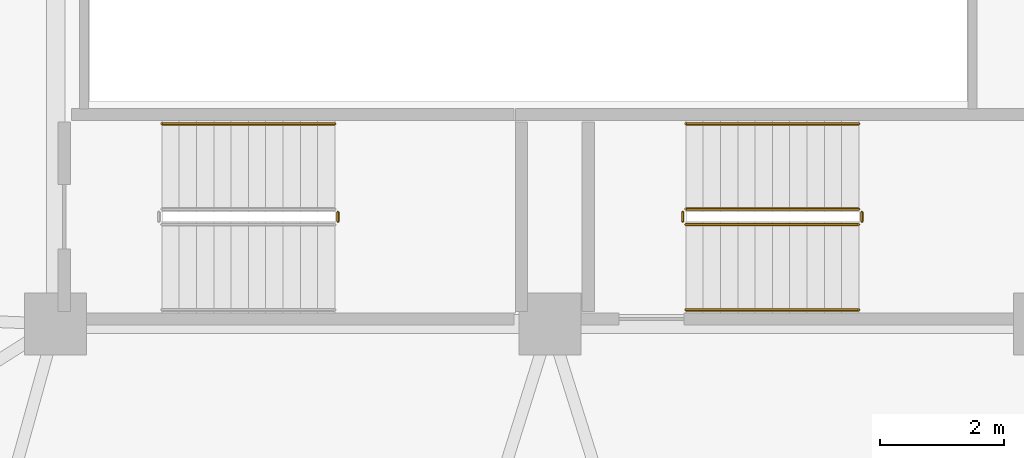
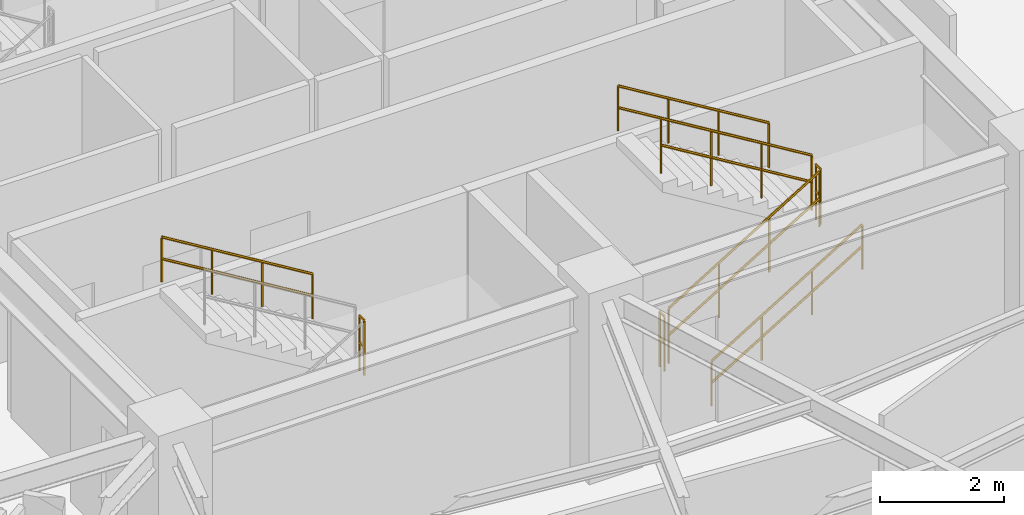
# One storey, part 29 of 31: 8 railings.
"""IFC4 building model written with IfcOpenShell, lengths in metres."""

from ifc_helpers import new_model, si_unit, direction, frame, origin, place, context, subcontext, project, spatial, polyline, outline, extrude, material, type_object, element, save


model = new_model("IFC4")

# Units and contexts
model_context = context("Model", 3, precision=1e-05, world=origin(), true_north=direction((0.0, 1.0)))
body_context = subcontext(model_context, "Body", "Model", "MODEL_VIEW")
ifc_project = project(units=[si_unit("LENGTHUNIT", "METRE"), si_unit("AREAUNIT", "SQUARE_METRE"), si_unit("VOLUMEUNIT", "CUBIC_METRE"), si_unit("PLANEANGLEUNIT", "RADIAN"), si_unit("MASSUNIT", "GRAM", prefix="KILO")], contexts=[model_context])

# Site, building, storey
site_placement = place(None, origin())
site = spatial("IfcSite", under=ifc_project, at=site_placement, CompositionType="ELEMENT")
building_placement = place(site_placement, origin())
building = spatial("IfcBuilding", under=site, at=building_placement, Name="Kelanora Arch Commons", CompositionType="ELEMENT")
storey_placement = place(building_placement, frame((0.0, 0.0, 230.699951171875)))
storey = spatial("IfcBuildingStorey", under=building, at=storey_placement, Name="L59", CompositionType="ELEMENT", Elevation=230.699951171875)

# Railings
ifc_material_1 = material(Name="Painted steel stair well guard", Category="steel")
railing_type_1 = type_object("IfcRailingType", Name="RAIL-STAIR-GRD", PredefinedType="GUARDRAIL", material=ifc_material_1)
railing_1_placement = place(storey_placement, frame((76.199951171875, 52.610107421875, 0.17041015625)))
element("IfcRailing", 1, at=railing_1_placement, inside=storey, type_object=railing_type_1, Name="L59 ST-T2 stair guard 1", PredefinedType="GUARDRAIL", context=body_context, shape_type="SweptSolid", body=[
    extrude(outline(polyline([(0.02392578125, 0.0), (0.011962890625, 0.020751953125), (-0.011962890625, 0.020751953125), (-0.02392578125, 0.0), (-0.011962890625, -0.020751953125), (0.011962890625, -0.020751953125), (0.02392578125, 0.0)])), frame((0.0, 0.0, 1.076171875), z_axis=(0.854169791009, 0.0, 0.51999420009), x_axis=(0.0, 1.0, 0.0)), (0.0, 0.0, 1.0), 3.278076171875),
    extrude(outline(polyline([(0.02392578125, 0.0), (0.011962890625, 0.020751953125), (-0.011962890625, 0.020751953125), (-0.02392578125, 0.0), (-0.011962890625, -0.020751953125), (0.011962890625, -0.020751953125), (0.02392578125, 0.0)])), frame((0.0, 0.0, 0.550048828125), z_axis=(0.854169791009, 0.0, 0.51999420009), x_axis=(0.0, 1.0, 0.0)), (0.0, 0.0, 1.0), 3.278076171875),
    extrude(outline(polyline([(0.02099609375, 0.0), (0.010498046875, 0.01806640625), (-0.010498046875, 0.01806640625), (-0.02099609375, 0.0), (-0.010498046875, -0.01806640625), (0.010498046875, -0.01806640625), (0.02099609375, 0.0)])), origin(), (0.0, 0.0, 1.0), 1.052001953125),
    extrude(outline(polyline([(0.02099609375, 0.0), (0.010498046875, 0.01806640625), (-0.010498046875, 0.01806640625), (-0.02099609375, 0.0), (-0.010498046875, -0.01806640625), (0.010498046875, -0.01806640625), (0.02099609375, 0.0)])), frame((0.933349609375, 0.0, 0.568115234375)), (0.0, 0.0, 1.0), 1.052001953125),
    extrude(outline(polyline([(0.02099609375, 0.0), (0.010498046875, 0.01806640625), (-0.010498046875, 0.01806640625), (-0.02099609375, 0.0), (-0.010498046875, -0.01806640625), (0.010498046875, -0.01806640625), (0.02099609375, 0.0)])), frame((1.86669921875, 0.0, 1.136474609375)), (0.0, 0.0, 1.0), 1.052001953125),
    extrude(outline(polyline([(0.02099609375, 0.0), (0.010498046875, 0.01806640625), (-0.010498046875, 0.01806640625), (-0.02099609375, 0.0), (-0.010498046875, -0.01806640625), (0.010498046875, -0.01806640625), (0.02099609375, 0.0)])), frame((2.800048828125, 0.0, 1.70458984375)), (0.0, 0.0, 1.0), 1.052001953125),
])
railing_2_placement = place(storey_placement, frame((79.050048828125, 52.659912109375, 1.875)))
element("IfcRailing", 2, at=railing_2_placement, inside=storey, type_object=railing_type_1, Name="L59 ST-T2 stair guard 2", PredefinedType="GUARDRAIL", context=body_context, shape_type="SweptSolid", body=[
    extrude(outline(polyline([(0.02392578125, 0.0), (0.011962890625, 0.020751953125), (-0.011962890625, 0.020751953125), (-0.02392578125, 0.0), (-0.011962890625, -0.020751953125), (0.011962890625, -0.020751953125), (0.02392578125, 0.0)])), frame((0.0, 0.0, 1.076171875), z_axis=(0.0, 1.0, 0.0), x_axis=(-1.0, 0.0, 0.0)), (0.0, 0.0, 1.0), 0.150146484375),
    extrude(outline(polyline([(0.02392578125, 0.0), (0.011962890625, 0.020751953125), (-0.011962890625, 0.020751953125), (-0.02392578125, 0.0), (-0.011962890625, -0.020751953125), (0.011962890625, -0.020751953125), (0.02392578125, 0.0)])), frame((0.0, 0.0, 0.550048828125), z_axis=(0.0, 1.0, 0.0), x_axis=(-1.0, 0.0, 0.0)), (0.0, 0.0, 1.0), 0.150146484375),
    extrude(outline(polyline([(0.02099609375, 0.0), (0.010498046875, 0.01806640625), (-0.010498046875, 0.01806640625), (-0.02099609375, 0.0), (-0.010498046875, -0.01806640625), (0.010498046875, -0.01806640625), (0.02099609375, 0.0)])), origin(), (0.0, 0.0, 1.0), 1.052001953125),
    extrude(outline(polyline([(0.02099609375, 0.0), (0.010498046875, 0.01806640625), (-0.010498046875, 0.01806640625), (-0.02099609375, 0.0), (-0.010498046875, -0.01806640625), (0.010498046875, -0.01806640625), (0.02099609375, 0.0)])), frame((0.0, 0.150146484375, 0.0)), (0.0, 0.0, 1.0), 1.052001953125),
])
railing_3_placement = place(storey_placement, frame((79.0, 52.860107421875, 2.04541015625)))
element("IfcRailing", 3, at=railing_3_placement, inside=storey, type_object=railing_type_1, Name="L59 ST-T2 stair guard 3", PredefinedType="GUARDRAIL", context=body_context, shape_type="SweptSolid", body=[
    extrude(outline(polyline([(0.02392578125, 0.0), (0.011962890625, 0.020751953125), (-0.011962890625, 0.020751953125), (-0.02392578125, 0.0), (-0.011962890625, -0.020751953125), (0.011962890625, -0.020751953125), (0.02392578125, 0.0)])), frame((0.0, 0.0, 1.076171875), z_axis=(-0.854169791009, 0.0, 0.51999420009), x_axis=(0.0, -1.0, 0.0)), (0.0, 0.0, 1.0), 3.278076171875),
    extrude(outline(polyline([(0.02392578125, 0.0), (0.011962890625, 0.020751953125), (-0.011962890625, 0.020751953125), (-0.02392578125, 0.0), (-0.011962890625, -0.020751953125), (0.011962890625, -0.020751953125), (0.02392578125, 0.0)])), frame((0.0, 0.0, 0.550048828125), z_axis=(-0.854169791009, 0.0, 0.51999420009), x_axis=(0.0, -1.0, 0.0)), (0.0, 0.0, 1.0), 3.278076171875),
    extrude(outline(polyline([(0.02099609375, 0.0), (0.010498046875, 0.01806640625), (-0.010498046875, 0.01806640625), (-0.02099609375, 0.0), (-0.010498046875, -0.01806640625), (0.010498046875, -0.01806640625), (0.02099609375, 0.0)])), origin(), (0.0, 0.0, 1.0), 1.052001953125),
    extrude(outline(polyline([(0.02099609375, 0.0), (0.010498046875, 0.01806640625), (-0.010498046875, 0.01806640625), (-0.02099609375, 0.0), (-0.010498046875, -0.01806640625), (0.010498046875, -0.01806640625), (0.02099609375, 0.0)])), frame((-0.933349609375, 0.0, 0.568115234375)), (0.0, 0.0, 1.0), 1.052001953125),
    extrude(outline(polyline([(0.02099609375, 0.0), (0.010498046875, 0.01806640625), (-0.010498046875, 0.01806640625), (-0.02099609375, 0.0), (-0.010498046875, -0.01806640625), (0.010498046875, -0.01806640625), (0.02099609375, 0.0)])), frame((-1.86669921875, 0.0, 1.136474609375)), (0.0, 0.0, 1.0), 1.052001953125),
    extrude(outline(polyline([(0.02099609375, 0.0), (0.010498046875, 0.01806640625), (-0.010498046875, 0.01806640625), (-0.02099609375, 0.0), (-0.010498046875, -0.01806640625), (0.010498046875, -0.01806640625), (0.02099609375, 0.0)])), frame((-2.800048828125, 0.0, 1.70458984375)), (0.0, 0.0, 1.0), 1.052001953125),
])
for number, where, name in (
    (4, (76.14990234375, 52.659912109375, 0.0), "L59 ST-T2 stair guard 4"),
    (5, (70.570068359375, 52.659912109375, 1.875), "L59 ST-T3 stair guard 2"),
):
    element("IfcRailing", number, at=place(storey_placement, frame(where)), inside=storey, type_object=railing_type_1, Name=name, PredefinedType="GUARDRAIL", context=body_context, shape_type="SweptSolid", body=[
        extrude(outline(polyline([(0.02392578125, 0.0), (0.011962890625, 0.020751953125), (-0.011962890625, 0.020751953125), (-0.02392578125, 0.0), (-0.011962890625, -0.020751953125), (0.011962890625, -0.020751953125), (0.02392578125, 0.0)])), frame((0.0, 0.0, 1.076171875), z_axis=(0.0, 1.0, 0.0), x_axis=(-1.0, 0.0, 0.0)), (0.0, 0.0, 1.0), 0.150146484375),
        extrude(outline(polyline([(0.02392578125, 0.0), (0.011962890625, 0.020751953125), (-0.011962890625, 0.020751953125), (-0.02392578125, 0.0), (-0.011962890625, -0.020751953125), (0.011962890625, -0.020751953125), (0.02392578125, 0.0)])), frame((0.0, 0.0, 0.550048828125), z_axis=(0.0, 1.0, 0.0), x_axis=(-1.0, 0.0, 0.0)), (0.0, 0.0, 1.0), 0.150146484375),
        extrude(outline(polyline([(0.02099609375, 0.0), (0.010498046875, 0.01806640625), (-0.010498046875, 0.01806640625), (-0.02099609375, 0.0), (-0.010498046875, -0.01806640625), (0.010498046875, -0.01806640625), (0.02099609375, 0.0)])), origin(), (0.0, 0.0, 1.0), 1.052001953125),
        extrude(outline(polyline([(0.02099609375, 0.0), (0.010498046875, 0.01806640625), (-0.010498046875, 0.01806640625), (-0.02099609375, 0.0), (-0.010498046875, -0.01806640625), (0.010498046875, -0.01806640625), (0.02099609375, 0.0)])), frame((0.0, 0.150146484375, 0.0)), (0.0, 0.0, 1.0), 1.052001953125),
    ])
ifc_material_2 = material(Name="Brushed stainless steel stair handrail", Category="steel")
railing_type_2 = type_object("IfcRailingType", Name="RAIL-STAIR-HND", PredefinedType="HANDRAIL", material=ifc_material_2)
railing_4_placement = place(storey_placement, frame((76.199951171875, 51.22998046875, 0.17041015625)))
element("IfcRailing", 6, at=railing_4_placement, inside=storey, type_object=railing_type_2, Name="L59 ST-T2 stair handrail 1", PredefinedType="HANDRAIL", context=body_context, shape_type="SweptSolid", body=[
    extrude(outline(polyline([(0.02392578125, 0.0), (0.011962890625, 0.020751953125), (-0.011962890625, 0.020751953125), (-0.02392578125, 0.0), (-0.011962890625, -0.020751953125), (0.011962890625, -0.020751953125), (0.02392578125, 0.0)])), frame((0.0, 0.0, 0.8759765625), z_axis=(0.854169791009, 0.0, 0.51999420009), x_axis=(0.0, 1.0, 0.0)), (0.0, 0.0, 1.0), 3.278076171875),
    extrude(outline(polyline([(0.02392578125, 0.0), (0.011962890625, 0.020751953125), (-0.011962890625, 0.020751953125), (-0.02392578125, 0.0), (-0.011962890625, -0.020751953125), (0.011962890625, -0.020751953125), (0.02392578125, 0.0)])), frame((0.0, 0.0, 0.449951171875), z_axis=(0.854169791009, 0.0, 0.51999420009), x_axis=(0.0, 1.0, 0.0)), (0.0, 0.0, 1.0), 3.278076171875),
    extrude(outline(polyline([(0.02099609375, 0.0), (0.010498046875, 0.01806640625), (-0.010498046875, 0.01806640625), (-0.02099609375, 0.0), (-0.010498046875, -0.01806640625), (0.010498046875, -0.01806640625), (0.02099609375, 0.0)])), origin(), (0.0, 0.0, 1.0), 0.851806640625),
    extrude(outline(polyline([(0.02099609375, 0.0), (0.010498046875, 0.01806640625), (-0.010498046875, 0.01806640625), (-0.02099609375, 0.0), (-0.010498046875, -0.01806640625), (0.010498046875, -0.01806640625), (0.02099609375, 0.0)])), frame((0.933349609375, 0.0, 0.568115234375)), (0.0, 0.0, 1.0), 0.851806640625),
    extrude(outline(polyline([(0.02099609375, 0.0), (0.010498046875, 0.01806640625), (-0.010498046875, 0.01806640625), (-0.02099609375, 0.0), (-0.010498046875, -0.01806640625), (0.010498046875, -0.01806640625), (0.02099609375, 0.0)])), frame((1.86669921875, 0.0, 1.136474609375)), (0.0, 0.0, 1.0), 0.851806640625),
    extrude(outline(polyline([(0.02099609375, 0.0), (0.010498046875, 0.01806640625), (-0.010498046875, 0.01806640625), (-0.02099609375, 0.0), (-0.010498046875, -0.01806640625), (0.010498046875, -0.01806640625), (0.02099609375, 0.0)])), frame((2.800048828125, 0.0, 1.70458984375)), (0.0, 0.0, 1.0), 0.851806640625),
])
railing_5_placement = place(storey_placement, frame((79.0, 54.239990234375, 2.04541015625)))
element("IfcRailing", 7, at=railing_5_placement, inside=storey, type_object=railing_type_2, Name="L59 ST-T2 stair handrail 2", PredefinedType="HANDRAIL", context=body_context, shape_type="SweptSolid", body=[
    extrude(outline(polyline([(0.02392578125, 0.0), (0.011962890625, 0.020751953125), (-0.011962890625, 0.020751953125), (-0.02392578125, 0.0), (-0.011962890625, -0.020751953125), (0.011962890625, -0.020751953125), (0.02392578125, 0.0)])), frame((0.0, 0.0, 0.8759765625), z_axis=(-0.854169791009, 0.0, 0.51999420009), x_axis=(0.0, -1.0, 0.0)), (0.0, 0.0, 1.0), 3.278076171875),
    extrude(outline(polyline([(0.02392578125, 0.0), (0.011962890625, 0.020751953125), (-0.011962890625, 0.020751953125), (-0.02392578125, 0.0), (-0.011962890625, -0.020751953125), (0.011962890625, -0.020751953125), (0.02392578125, 0.0)])), frame((0.0, 0.0, 0.449951171875), z_axis=(-0.854169791009, 0.0, 0.51999420009), x_axis=(0.0, -1.0, 0.0)), (0.0, 0.0, 1.0), 3.278076171875),
    extrude(outline(polyline([(0.02099609375, 0.0), (0.010498046875, 0.01806640625), (-0.010498046875, 0.01806640625), (-0.02099609375, 0.0), (-0.010498046875, -0.01806640625), (0.010498046875, -0.01806640625), (0.02099609375, 0.0)])), origin(), (0.0, 0.0, 1.0), 0.851806640625),
    extrude(outline(polyline([(0.02099609375, 0.0), (0.010498046875, 0.01806640625), (-0.010498046875, 0.01806640625), (-0.02099609375, 0.0), (-0.010498046875, -0.01806640625), (0.010498046875, -0.01806640625), (0.02099609375, 0.0)])), frame((-0.933349609375, 0.0, 0.568115234375)), (0.0, 0.0, 1.0), 0.851806640625),
    extrude(outline(polyline([(0.02099609375, 0.0), (0.010498046875, 0.01806640625), (-0.010498046875, 0.01806640625), (-0.02099609375, 0.0), (-0.010498046875, -0.01806640625), (0.010498046875, -0.01806640625), (0.02099609375, 0.0)])), frame((-1.86669921875, 0.0, 1.136474609375)), (0.0, 0.0, 1.0), 0.851806640625),
    extrude(outline(polyline([(0.02099609375, 0.0), (0.010498046875, 0.01806640625), (-0.010498046875, 0.01806640625), (-0.02099609375, 0.0), (-0.010498046875, -0.01806640625), (0.010498046875, -0.01806640625), (0.02099609375, 0.0)])), frame((-2.800048828125, 0.0, 1.70458984375)), (0.0, 0.0, 1.0), 0.851806640625),
])
railing_6_placement = place(storey_placement, frame((70.52001953125, 54.239990234375, 2.04541015625)))
element("IfcRailing", 8, at=railing_6_placement, inside=storey, type_object=railing_type_2, Name="L59 ST-T3 stair handrail 2", PredefinedType="HANDRAIL", context=body_context, shape_type="SweptSolid", body=[
    extrude(outline(polyline([(0.02392578125, 0.0), (0.011962890625, 0.020751953125), (-0.011962890625, 0.020751953125), (-0.02392578125, 0.0), (-0.011962890625, -0.020751953125), (0.011962890625, -0.020751953125), (0.02392578125, 0.0)])), frame((0.0, 0.0, 0.8759765625), z_axis=(-0.854169791009, 0.0, 0.51999420009), x_axis=(0.0, -1.0, 0.0)), (0.0, 0.0, 1.0), 3.278076171875),
    extrude(outline(polyline([(0.02392578125, 0.0), (0.011962890625, 0.020751953125), (-0.011962890625, 0.020751953125), (-0.02392578125, 0.0), (-0.011962890625, -0.020751953125), (0.011962890625, -0.020751953125), (0.02392578125, 0.0)])), frame((0.0, 0.0, 0.449951171875), z_axis=(-0.854169791009, 0.0, 0.51999420009), x_axis=(0.0, -1.0, 0.0)), (0.0, 0.0, 1.0), 3.278076171875),
    extrude(outline(polyline([(0.02099609375, 0.0), (0.010498046875, 0.01806640625), (-0.010498046875, 0.01806640625), (-0.02099609375, 0.0), (-0.010498046875, -0.01806640625), (0.010498046875, -0.01806640625), (0.02099609375, 0.0)])), origin(), (0.0, 0.0, 1.0), 0.851806640625),
    extrude(outline(polyline([(0.02099609375, 0.0), (0.010498046875, 0.01806640625), (-0.010498046875, 0.01806640625), (-0.02099609375, 0.0), (-0.010498046875, -0.01806640625), (0.010498046875, -0.01806640625), (0.02099609375, 0.0)])), frame((-0.933349609375, 0.0, 0.568115234375)), (0.0, 0.0, 1.0), 0.851806640625),
    extrude(outline(polyline([(0.02099609375, 0.0), (0.010498046875, 0.01806640625), (-0.010498046875, 0.01806640625), (-0.02099609375, 0.0), (-0.010498046875, -0.01806640625), (0.010498046875, -0.01806640625), (0.02099609375, 0.0)])), frame((-1.86669921875, 0.0, 1.136474609375)), (0.0, 0.0, 1.0), 0.851806640625),
    extrude(outline(polyline([(0.02099609375, 0.0), (0.010498046875, 0.01806640625), (-0.010498046875, 0.01806640625), (-0.02099609375, 0.0), (-0.010498046875, -0.01806640625), (0.010498046875, -0.01806640625), (0.02099609375, 0.0)])), frame((-2.800048828125, 0.0, 1.70458984375)), (0.0, 0.0, 1.0), 0.851806640625),
])

save(model, "model.ifc")
